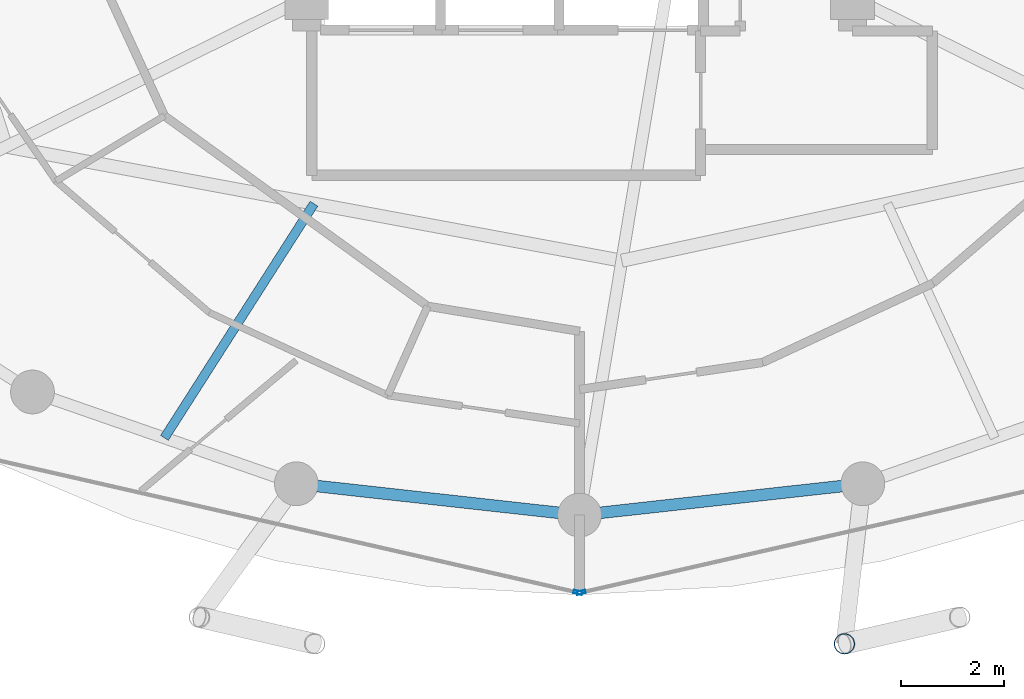
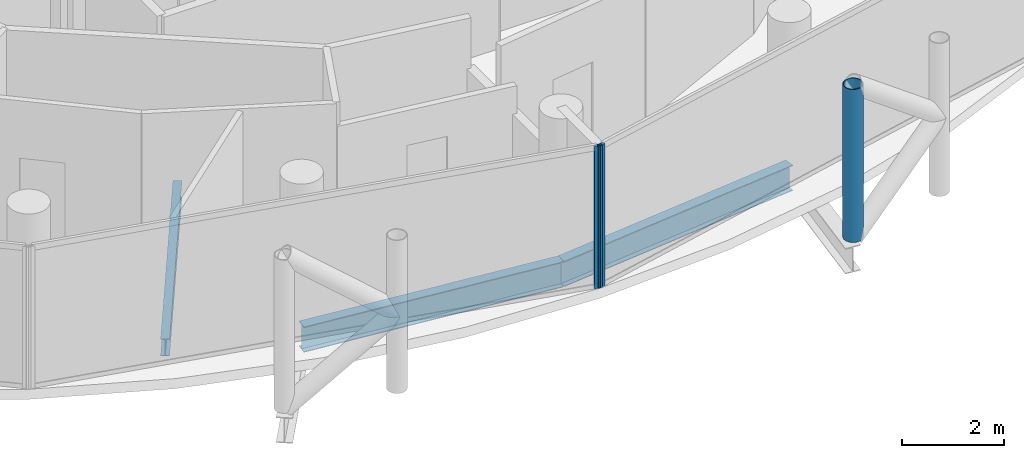
# One storey, part 5 of 27: 3 beams, 3 members, 2 elements without a shape of their own.
"""IFC4 building model written with IfcOpenShell, lengths in metres."""

import ifcopenshell
import ifcopenshell.guid

model = None  # the IFC model being written
_history = None  # IfcOwnerHistory: only IFC2X3 demands one
_inside = {}  # id of a spatial element -> (the spatial element, [elements in it])
_under = {}  # id of a project, library or spatial element -> (it, [spatial elements below it])
_declared = {}  # id of a project -> (the project, [libraries it declares])
_typed = {}  # id of a type object -> (the type object, [elements of that type])
_made_of = {}  # id of a material, layer set ... -> (it, [elements and type objects made of it])


def new_model(schema):
    """Start an empty IFC model of exactly this schema.

    Asked for "IFC4X3", IfcOpenShell would pick the latest addendum, in which some entities
    have other attributes; the version numbers below select the first issue.
    IFC2X3 requires an IfcOwnerHistory on every rooted entity: one is made here for all.
    """
    global model, _history
    if schema == "IFC4X3":
        model = ifcopenshell.file(schema_version=(4, 3, 0, 0))
    else:
        model = ifcopenshell.file(schema=schema)
    _inside.clear()
    _under.clear()
    _declared.clear()
    _typed.clear()
    _made_of.clear()
    _history = None
    if model.schema == "IFC2X3":
        org = make("IfcOrganization", Name="unknown")
        user = make(
            "IfcPersonAndOrganization",
            ThePerson=make("IfcPerson", FamilyName="unknown"),
            TheOrganization=org,
        )
        app = make(
            "IfcApplication",
            ApplicationDeveloper=org,
            Version="unknown",
            ApplicationFullName="unknown",
            ApplicationIdentifier="unknown",
        )
        _history = make(
            "IfcOwnerHistory",
            OwningUser=user,
            OwningApplication=app,
            ChangeAction="ADDED",
            CreationDate=0,
        )
    return model


def make(cls, **values):
    """One entity of the class cls with the attributes given. An attribute that is None is left unset."""
    return model.create_entity(
        cls, **{name: value for name, value in values.items() if value is not None}
    )


def rooted(cls, **values):
    """An entity with a GlobalId (a new one), such as an element, a storey or a relation."""
    return make(cls, GlobalId=ifcopenshell.guid.new(), OwnerHistory=_history, **values)


def si_unit(unit_type, name, prefix=None):
    """IfcSIUnit, for example si_unit("LENGTHUNIT", "METRE", prefix="MILLI")."""
    return make("IfcSIUnit", UnitType=unit_type, Prefix=prefix, Name=name)


def assignment(units):
    """IfcUnitAssignment: the units of a project."""
    return None if units is None else make("IfcUnitAssignment", Units=units)


def point(xyz):
    """IfcCartesianPoint."""
    return None if xyz is None else make("IfcCartesianPoint", Coordinates=xyz)


def direction(xyz):
    """IfcDirection."""
    return None if xyz is None else make("IfcDirection", DirectionRatios=xyz)


def frame(location, z_axis=None, x_axis=None):
    """IfcAxis2Placement3D, a coordinate frame: its origin and axes. An axis left out is left unset."""
    return make(
        "IfcAxis2Placement3D",
        Location=point(location),
        Axis=direction(z_axis),
        RefDirection=direction(x_axis),
    )


def frame_2d(location, x_axis=None):
    """IfcAxis2Placement2D, a coordinate frame in the plane: its origin and x axis."""
    return make(
        "IfcAxis2Placement2D", Location=point(location), RefDirection=direction(x_axis)
    )


def origin():
    """The frame at (0, 0, 0) with its axes left unset."""
    return frame((0.0, 0.0, 0.0))


def origin_2d():
    """The frame at (0, 0) in the plane with its x axis left unset."""
    return frame_2d((0.0, 0.0))


def place(relative_to, where):
    """IfcLocalPlacement: puts the frame where relative to a parent placement (None: the world)."""
    return make(
        "IfcLocalPlacement", PlacementRelTo=relative_to, RelativePlacement=where
    )


def context(
    kind, dimensions, precision=None, world=None, true_north=None, identifier=None
):
    """IfcGeometricRepresentationContext, for example the 3D "Model" context."""
    return make(
        "IfcGeometricRepresentationContext",
        ContextIdentifier=identifier,
        ContextType=kind,
        CoordinateSpaceDimension=dimensions,
        Precision=precision,
        WorldCoordinateSystem=world,
        TrueNorth=true_north,
    )


def subcontext(parent, identifier, kind, view, scale=None):
    """IfcGeometricRepresentationSubContext, for example "Body" below "Model"."""
    return make(
        "IfcGeometricRepresentationSubContext",
        ContextIdentifier=identifier,
        ContextType=kind,
        ParentContext=parent,
        TargetScale=scale,
        TargetView=view,
    )


def project(units=None, contexts=None):
    """IfcProject with its units and contexts."""
    return rooted(
        "IfcProject",
        Name="project",
        RepresentationContexts=contexts,
        UnitsInContext=assignment(units),
    )


def spatial(cls, under=None, at=None, **own):
    """A site, building, storey or space (cls), placed at a placement, below another one or the project."""
    s = rooted(cls, ObjectPlacement=at, **own)
    if under is not None:
        _under.setdefault(under.id(), (under, []))[1].append(s)
    return s


def profile(cls, at=None, kind="AREA", **sizes):
    """A parametric profile (cls). Its sizes go by their IFC names, for example OverallWidth=200.0."""
    return make(cls, ProfileType=kind, Position=at, **sizes)


def hollow_rectangle(**sizes):
    """IfcRectangleHollowProfileDef."""
    return profile("IfcRectangleHollowProfileDef", **sizes)


def hollow_circle(**sizes):
    """IfcCircleHollowProfileDef."""
    return profile("IfcCircleHollowProfileDef", **sizes)


def i_section(**sizes):
    """IfcIShapeProfileDef."""
    return profile("IfcIShapeProfileDef", **sizes)


def extrude(swept, where, along, depth):
    """IfcExtrudedAreaSolid: the profile swept, set in the frame where, extruded along a direction by depth."""
    return make(
        "IfcExtrudedAreaSolid",
        SweptArea=swept,
        Position=where,
        ExtrudedDirection=direction(along),
        Depth=depth,
    )


def shape(context_of_items, identifier, shape_type, items):
    """IfcShapeRepresentation: the items that make up one representation, for example the "Body"."""
    return make(
        "IfcShapeRepresentation",
        ContextOfItems=context_of_items,
        RepresentationIdentifier=identifier,
        RepresentationType=shape_type,
        Items=items,
    )


def material(Name=None, Category=None):
    """IfcMaterial."""
    return make("IfcMaterial", Name=Name, Category=Category)


def layer(
    of_material, thickness, ventilated=None, Name=None, Category=None, Priority=None
):
    """IfcMaterialLayer: one layer of a wall or slab, of a material (None: an air gap)."""
    return make(
        "IfcMaterialLayer",
        Material=of_material,
        LayerThickness=thickness,
        IsVentilated=ventilated,
        Name=Name,
        Category=Category,
        Priority=Priority,
    )


def layer_set(layers, Name=None):
    """IfcMaterialLayerSet."""
    return make("IfcMaterialLayerSet", MaterialLayers=layers, LayerSetName=Name)


def material_profile(
    of_material, cross_section, Name=None, Category=None, Priority=None
):
    """IfcMaterialProfile: a cross section and its material."""
    return make(
        "IfcMaterialProfile",
        Name=Name,
        Material=of_material,
        Profile=cross_section,
        Priority=Priority,
        Category=Category,
    )


def profile_set(profiles, Name=None, composite=None):
    """IfcMaterialProfileSet."""
    return make(
        "IfcMaterialProfileSet",
        Name=Name,
        MaterialProfiles=profiles,
        CompositeProfile=composite,
    )


def made_of(thing, what):
    """Note that an element or type object is made of a material, layer set ...; save() writes the relation."""
    if what is not None:
        _made_of.setdefault(what.id(), (what, []))[1].append(thing)
    return thing


def type_object(cls, material=None, **own):
    """A type object (cls), such as IfcWallType, which elements share."""
    return made_of(rooted(cls, **own), material)


def element(
    cls,
    number,
    at=None,
    inside=None,
    cuts=None,
    type_object=None,
    material=None,
    context=None,
    identifier="Body",
    shape_type=None,
    held_by="IfcProductDefinitionShape",
    body=None,
    shapes=None,
    **own,
):
    """One element of the class cls, such as IfcWall. Its Tag is "e" and its number.

    at: its placement. inside: the storey or other place that contains it. cuts: it is an
    opening in that element (IfcRelVoidsElement). A single representation is given by context,
    identifier, shape_type and body (its items); several are given by shapes. held_by: the class
    of the entity that holds the representations. save() writes the other relations.
    """
    e = rooted(cls, Tag="e%d" % number, ObjectPlacement=at, **own)
    if body is not None:
        shapes = [shape(context, identifier, shape_type, body)]
    if shapes is not None:
        e.Representation = make(held_by, Representations=shapes)
    if inside is not None:
        _inside.setdefault(inside.id(), (inside, []))[1].append(e)
    if cuts is not None:
        rooted(
            "IfcRelVoidsElement", RelatingBuildingElement=cuts, RelatedOpeningElement=e
        )
    if type_object is not None:
        _typed.setdefault(type_object.id(), (type_object, []))[1].append(e)
    return made_of(e, material)


def aggregate(whole, parts):
    """IfcRelAggregates: a whole, such as a stair, and the parts it consists of."""
    return rooted("IfcRelAggregates", RelatingObject=whole, RelatedObjects=parts)


def save(model, path):
    """Write the relations noted so far, then the file.

    IfcRelAggregates (storeys below a building ...), IfcRelContainedInSpatialStructure (elements
    in a storey), IfcRelDefinesByType, IfcRelAssociatesMaterial and IfcRelDeclares: one each for
    every whole, place, type object, material and project.
    """
    for whole, parts in _under.values():
        aggregate(whole, parts)
    for where, things in _inside.values():
        rooted(
            "IfcRelContainedInSpatialStructure",
            RelatedElements=things,
            RelatingStructure=where,
        )
    for kind, things in _typed.values():
        rooted("IfcRelDefinesByType", RelatedObjects=things, RelatingType=kind)
    for what, things in _made_of.values():
        rooted("IfcRelAssociatesMaterial", RelatedObjects=things, RelatingMaterial=what)
    for by, libraries in _declared.values():
        rooted("IfcRelDeclares", RelatingContext=by, RelatedDefinitions=libraries)
    model.write(path)


model = new_model("IFC4")

# Units and contexts
model_context = context("Model", 3, precision=1e-05, world=origin(), true_north=direction((0.0, 1.0)))
body_context = subcontext(model_context, "Body", "Model", "MODEL_VIEW")
ifc_project = project(units=[si_unit("LENGTHUNIT", "METRE"), si_unit("AREAUNIT", "SQUARE_METRE"), si_unit("VOLUMEUNIT", "CUBIC_METRE"), si_unit("PLANEANGLEUNIT", "RADIAN"), si_unit("MASSUNIT", "GRAM", prefix="KILO")], contexts=[model_context])

# Site, building, storey
site_placement = place(None, origin())
site = spatial("IfcSite", under=ifc_project, at=site_placement, CompositionType="ELEMENT")
building_placement = place(site_placement, origin())
building = spatial("IfcBuilding", under=site, at=building_placement, Name="Nuhasar Tower", CompositionType="ELEMENT")
storey_placement = place(building_placement, frame((0.0, 0.0, 251.949951171875)))
storey = spatial("IfcBuildingStorey", under=building, at=storey_placement, Name="L62", CompositionType="ELEMENT", Elevation=251.949951171875)

# Beams
ifc_material_1 = material(Name="Steel S355", Category="steel")
ifc_material_profile_1 = material_profile(ifc_material_1, i_section(OverallWidth=0.177978515625, OverallDepth=0.406005859375, WebThickness=0.0078125, FlangeThickness=0.0126953125, at=origin_2d()), Name="W16X40")
ifc_profile_set_1 = profile_set([ifc_material_profile_1], Name="Steel S355")
beam_type_1 = type_object("IfcBeamType", Name="BM-JST-W16X40", PredefinedType="JOIST", material=ifc_profile_set_1)
beam_placement = place(storey_placement, frame((33.842041015625, 14.998046875, -0.44287109375), z_axis=(-0.538168818546, -0.842837067733, 0.0), x_axis=(0.842837067733, -0.538168818546, 0.0)))
element("IfcBeam", 1, at=beam_placement, inside=storey, type_object=beam_type_1, Name="L62 Secondary Floor Joist 01", PredefinedType="JOIST", context=body_context, shape_type="SweptSolid", body=[
    extrude(i_section(OverallWidth=0.177978515625, OverallDepth=0.406005859375, WebThickness=0.0078125, FlangeThickness=0.0126953125, at=origin_2d()), origin(), (0.0, 0.0, 1.0), 5.396240234375),
])
ifc_material_profile_2 = material_profile(ifc_material_1, i_section(OverallWidth=0.22802734375, OverallDepth=0.60791015625, WebThickness=0.01123046875, FlangeThickness=0.017333984375, at=origin_2d()), Name="W24X76")
ifc_profile_set_2 = profile_set([ifc_material_profile_2], Name="Steel S355")
beam_type_2 = type_object("IfcBeamType", Name="BM-RING-W24X76", PredefinedType="SPANDREL", material=ifc_profile_set_2)
for number, where, z_axis, x_axis, name in (
    (2, (33.5, 9.55810546875, -0.5439453125), (0.993942242238, -0.109903680993, 0.0), (0.109903680993, 0.993942242238, 0.0), "L62 Perimeter Ring Spandrel 18"),
    (3, (39.0, 8.949951171875, -0.5439453125), (0.993942242238, 0.109903680993, 0.0), (-0.109903680993, 0.993942242238, 0.0), "L62 Perimeter Ring Spandrel 19"),
):
    element("IfcBeam", number, at=place(storey_placement, frame(where, z_axis=z_axis, x_axis=x_axis)), inside=storey, type_object=beam_type_2, Name=name, PredefinedType="SPANDREL", context=body_context, shape_type="SweptSolid", body=[
        extrude(i_section(OverallWidth=0.22802734375, OverallDepth=0.60791015625, WebThickness=0.01123046875, FlangeThickness=0.017333984375, at=origin_2d()), origin(), (0.0, 0.0, 1.0), 5.533447265625),
    ])

# Curtain wall, member
ifc_material_2 = material(Name="Aluminium 6063-T6", Category="aluminium")
ifc_layer = layer(ifc_material_2, 0.18994140625)
ifc_layer_set = layer_set([ifc_layer], Name="Aluminium 6063-T6")
curtain_wall_type = type_object("IfcCurtainWallType", Name="CW-Z3-RES", PredefinedType="NOTDEFINED", material=ifc_layer_set)
curtain_wall_1_placement = place(storey_placement, origin())
curtain_wall_1 = element("IfcCurtainWall", 4, at=curtain_wall_1_placement, inside=storey, type_object=curtain_wall_type, Name="L62 Unitised Curtain Wall 09", PredefinedType="NOTDEFINED")
ifc_material_profile_3 = material_profile(ifc_material_2, hollow_rectangle(XDim=0.06494140625, YDim=0.169921875, WallThickness=0.0048828125, at=origin_2d()), Name="CWM-4")
ifc_profile_set_3 = profile_set([ifc_material_profile_3], Name="Aluminium 6063-T6")
member_type_1 = type_object("IfcMemberType", Name="CW-MUL-S4", PredefinedType="MULLION", material=ifc_profile_set_3)
member_1_placement = place(storey_placement, frame((38.96826171875, 7.447265625, 0.0), z_axis=(0.0, 0.0, 1.0), x_axis=(0.222243176313, 0.974991266926, 0.0)))
member_1 = element("IfcMember", 5, at=member_1_placement, type_object=member_type_1, Name="CW-Z3 mullion 2", PredefinedType="MULLION", context=body_context, shape_type="SweptSolid", body=[
    extrude(hollow_rectangle(XDim=0.06494140625, YDim=0.169921875, WallThickness=0.0048828125, at=origin_2d()), origin(), (0.0, 0.0, 1.0), 3.39013671875),
])
aggregate(curtain_wall_1, [member_1])

curtain_wall_2_placement = place(storey_placement, origin())
curtain_wall_2 = element("IfcCurtainWall", 6, at=curtain_wall_2_placement, inside=storey, type_object=curtain_wall_type, Name="L62 Unitised Curtain Wall 10", PredefinedType="NOTDEFINED")
member_2_placement = place(storey_placement, frame((39.03173828125, 7.447265625, 0.0), z_axis=(0.0, 0.0, 1.0), x_axis=(-0.222243176313, 0.974991266926, 0.0)))
member_2 = element("IfcMember", 7, at=member_2_placement, type_object=member_type_1, Name="CW-Z3 mullion 1", PredefinedType="MULLION", context=body_context, shape_type="SweptSolid", body=[
    extrude(hollow_rectangle(XDim=0.06494140625, YDim=0.169921875, WallThickness=0.0048828125, at=origin_2d()), origin(), (0.0, 0.0, 1.0), 3.39013671875),
])
aggregate(curtain_wall_2, [member_2])

# Member
ifc_material_3 = material(Name="Steel S460", Category="steel")
ifc_material_profile_4 = material_profile(ifc_material_3, hollow_circle(Radius=0.203125, WallThickness=0.01904296875, at=origin_2d()), Name="HSS406.4X19.1")
ifc_profile_set_4 = profile_set([ifc_material_profile_4], Name="Steel S460")
member_type_2 = type_object("IfcMemberType", Name="EXO-BRONZE-406", PredefinedType="BRACE", material=ifc_profile_set_4)
member_3_placement = place(storey_placement, frame((44.14306640625, 6.450927734375, 0.0), z_axis=(0.0, 0.0, 1.0), x_axis=(1.0, 0.0, 0.0)))
element("IfcMember", 8, at=member_3_placement, inside=storey, type_object=member_type_2, Name="L62 Exoskeleton Chord Column EC-10A", PredefinedType="BRACE", context=body_context, shape_type="SweptSolid", body=[
    extrude(hollow_circle(Radius=0.203125, WallThickness=0.01904296875, at=origin_2d()), origin(), (0.0, 0.0, 1.0), 3.650146484375),
])

save(model, "model.ifc")
